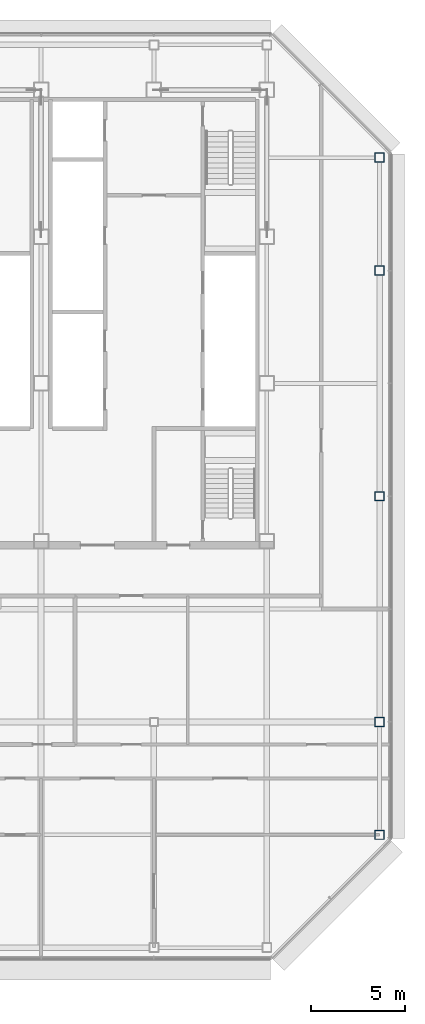
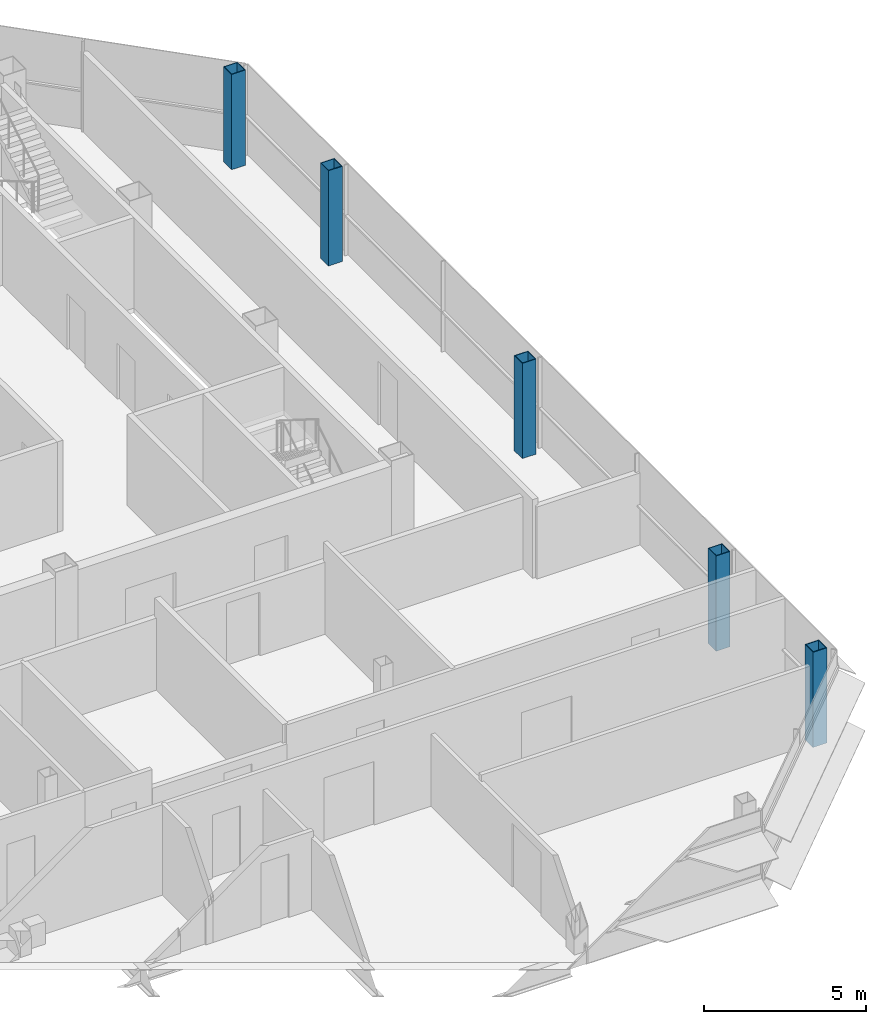
# One storey, part 3 of 27: 5 columns.
"""IFC4 building model written with IfcOpenShell, lengths in metres."""

from ifc_helpers import new_model, si_unit, direction, frame, origin, origin_2d, place, context, subcontext, project, spatial, hollow_rectangle, extrude, material, material_profile, profile_set, type_object, element, save


model = new_model("IFC4")

# Units and contexts
model_context = context("Model", 3, precision=1e-05, world=origin(), true_north=direction((0.0, 1.0)))
body_context = subcontext(model_context, "Body", "Model", "MODEL_VIEW")
ifc_project = project(units=[si_unit("LENGTHUNIT", "METRE"), si_unit("AREAUNIT", "SQUARE_METRE"), si_unit("VOLUMEUNIT", "CUBIC_METRE"), si_unit("PLANEANGLEUNIT", "RADIAN"), si_unit("MASSUNIT", "GRAM", prefix="KILO")], contexts=[model_context])

# Site, building, storey
site_placement = place(None, origin())
site = spatial("IfcSite", under=ifc_project, at=site_placement, CompositionType="ELEMENT")
building_placement = place(site_placement, origin())
building = spatial("IfcBuilding", under=site, at=building_placement, Name="Sorahane Residences", CompositionType="ELEMENT")
storey_placement = place(building_placement, frame((0.0, 0.0, 323.199951171875)))
storey = spatial("IfcBuildingStorey", under=building, at=storey_placement, Name="L77", CompositionType="ELEMENT", Elevation=323.199951171875)

# Columns
ifc_material = material(Name="Steel Q355B", Category="steel")
ifc_material_profile = material_profile(ifc_material, hollow_rectangle(XDim=0.5, YDim=0.5, WallThickness=0.02490234375, at=origin_2d()), Name="BOX 500x500x25")
ifc_profile_set = profile_set([ifc_material_profile], Name="Steel Q355B")
column_type = type_object("IfcColumnType", Name="Steel box column BOX 500x500x25 Q355B", PredefinedType="COLUMN", material=ifc_profile_set)
for number, where, z_axis, x_axis, name in (
    (1, (48.0, 6.0, 0.0), (0.0, 0.0, 1.0), (1.0, 0.0, 0.0), "Column L77 48/6"),
    (2, (48.0, 12.0, 0.0), (0.0, 0.0, 1.0), (1.0, 0.0, 0.0), "Column L77 48/12"),
    (3, (48.0, 24.0, 0.0), (0.0, 0.0, 1.0), (1.0, 0.0, 0.0), "Column L77 48/24"),
    (4, (48.0, 36.0, 0.0), (0.0, 0.0, 1.0), (1.0, 0.0, 0.0), "Column L77 48/36"),
    (5, (48.0, 42.0, 0.0), (0.0, 0.0, 1.0), (1.0, 0.0, 0.0), "Column L77 48/42"),
):
    element("IfcColumn", number, at=place(storey_placement, frame(where, z_axis=z_axis, x_axis=x_axis)), inside=storey, type_object=column_type, Name=name, PredefinedType="COLUMN", context=body_context, shape_type="SweptSolid", body=[
        extrude(hollow_rectangle(XDim=0.5, YDim=0.5, WallThickness=0.02490234375, at=origin_2d()), origin(), (0.0, 0.0, 1.0), 3.60009765625),
    ])

save(model, "model.ifc")
